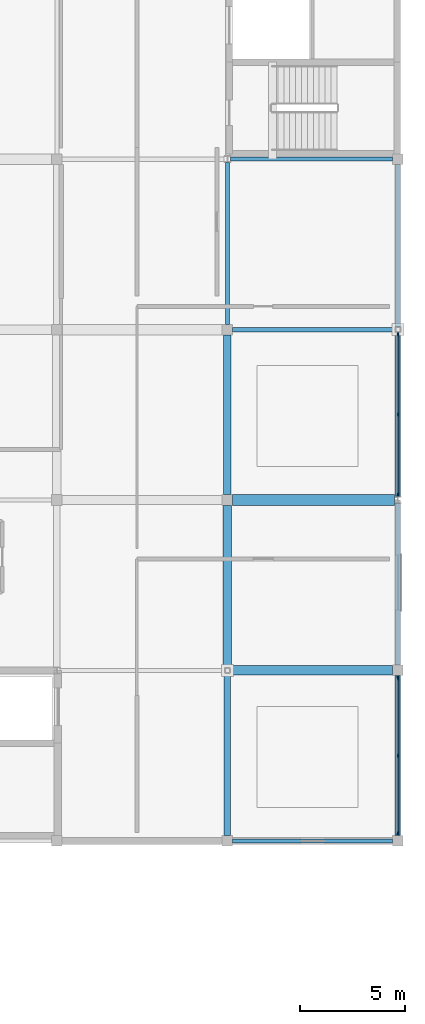
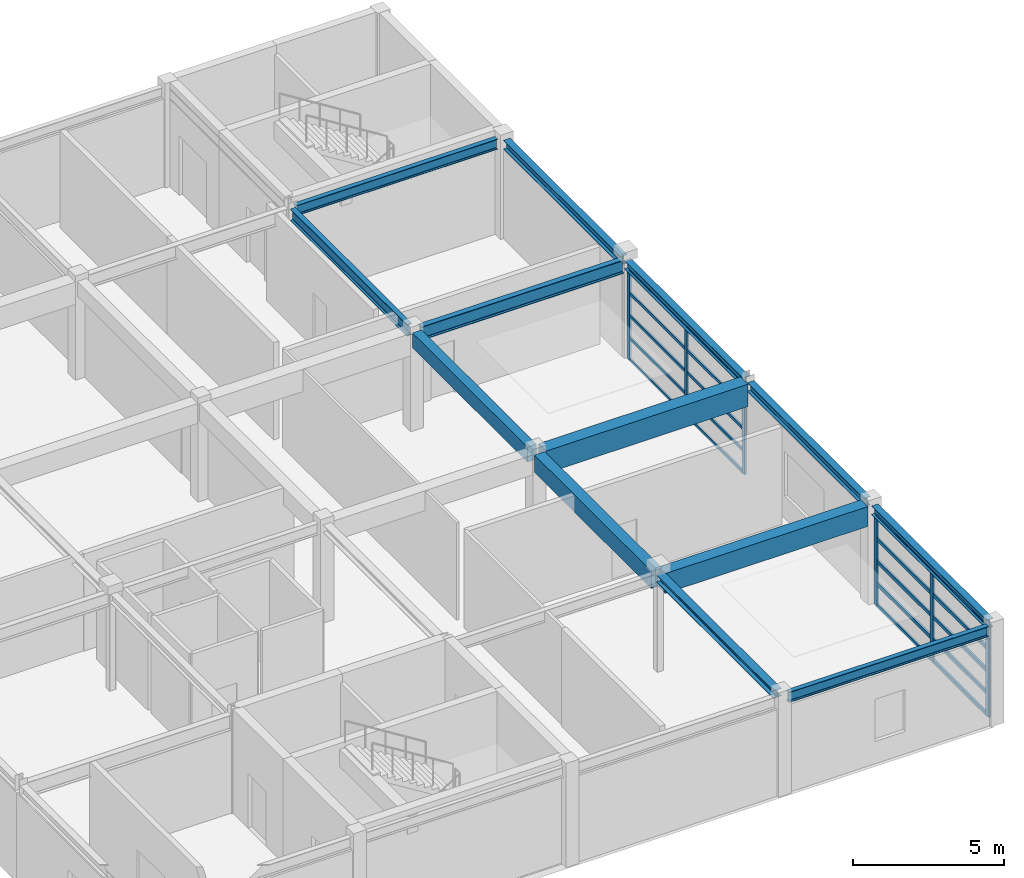
# One storey, part 13 of 26: 26 members, 13 beams, 2 elements without a shape of their own.
"""IFC4 building model written with IfcOpenShell, lengths in metres."""

import ifcopenshell
import ifcopenshell.guid

model = None  # the IFC model being written
_history = None  # IfcOwnerHistory: only IFC2X3 demands one
_inside = {}  # id of a spatial element -> (the spatial element, [elements in it])
_under = {}  # id of a project, library or spatial element -> (it, [spatial elements below it])
_declared = {}  # id of a project -> (the project, [libraries it declares])
_typed = {}  # id of a type object -> (the type object, [elements of that type])
_made_of = {}  # id of a material, layer set ... -> (it, [elements and type objects made of it])


def new_model(schema):
    """Start an empty IFC model of exactly this schema.

    Asked for "IFC4X3", IfcOpenShell would pick the latest addendum, in which some entities
    have other attributes; the version numbers below select the first issue.
    IFC2X3 requires an IfcOwnerHistory on every rooted entity: one is made here for all.
    """
    global model, _history
    if schema == "IFC4X3":
        model = ifcopenshell.file(schema_version=(4, 3, 0, 0))
    else:
        model = ifcopenshell.file(schema=schema)
    _inside.clear()
    _under.clear()
    _declared.clear()
    _typed.clear()
    _made_of.clear()
    _history = None
    if model.schema == "IFC2X3":
        org = make("IfcOrganization", Name="unknown")
        user = make(
            "IfcPersonAndOrganization",
            ThePerson=make("IfcPerson", FamilyName="unknown"),
            TheOrganization=org,
        )
        app = make(
            "IfcApplication",
            ApplicationDeveloper=org,
            Version="unknown",
            ApplicationFullName="unknown",
            ApplicationIdentifier="unknown",
        )
        _history = make(
            "IfcOwnerHistory",
            OwningUser=user,
            OwningApplication=app,
            ChangeAction="ADDED",
            CreationDate=0,
        )
    return model


def make(cls, **values):
    """One entity of the class cls with the attributes given. An attribute that is None is left unset."""
    return model.create_entity(
        cls, **{name: value for name, value in values.items() if value is not None}
    )


def rooted(cls, **values):
    """An entity with a GlobalId (a new one), such as an element, a storey or a relation."""
    return make(cls, GlobalId=ifcopenshell.guid.new(), OwnerHistory=_history, **values)


def si_unit(unit_type, name, prefix=None):
    """IfcSIUnit, for example si_unit("LENGTHUNIT", "METRE", prefix="MILLI")."""
    return make("IfcSIUnit", UnitType=unit_type, Prefix=prefix, Name=name)


def assignment(units):
    """IfcUnitAssignment: the units of a project."""
    return None if units is None else make("IfcUnitAssignment", Units=units)


def point(xyz):
    """IfcCartesianPoint."""
    return None if xyz is None else make("IfcCartesianPoint", Coordinates=xyz)


def direction(xyz):
    """IfcDirection."""
    return None if xyz is None else make("IfcDirection", DirectionRatios=xyz)


def frame(location, z_axis=None, x_axis=None):
    """IfcAxis2Placement3D, a coordinate frame: its origin and axes. An axis left out is left unset."""
    return make(
        "IfcAxis2Placement3D",
        Location=point(location),
        Axis=direction(z_axis),
        RefDirection=direction(x_axis),
    )


def frame_2d(location, x_axis=None):
    """IfcAxis2Placement2D, a coordinate frame in the plane: its origin and x axis."""
    return make(
        "IfcAxis2Placement2D", Location=point(location), RefDirection=direction(x_axis)
    )


def origin():
    """The frame at (0, 0, 0) with its axes left unset."""
    return frame((0.0, 0.0, 0.0))


def origin_2d():
    """The frame at (0, 0) in the plane with its x axis left unset."""
    return frame_2d((0.0, 0.0))


def place(relative_to, where):
    """IfcLocalPlacement: puts the frame where relative to a parent placement (None: the world)."""
    return make(
        "IfcLocalPlacement", PlacementRelTo=relative_to, RelativePlacement=where
    )


def context(
    kind, dimensions, precision=None, world=None, true_north=None, identifier=None
):
    """IfcGeometricRepresentationContext, for example the 3D "Model" context."""
    return make(
        "IfcGeometricRepresentationContext",
        ContextIdentifier=identifier,
        ContextType=kind,
        CoordinateSpaceDimension=dimensions,
        Precision=precision,
        WorldCoordinateSystem=world,
        TrueNorth=true_north,
    )


def subcontext(parent, identifier, kind, view, scale=None):
    """IfcGeometricRepresentationSubContext, for example "Body" below "Model"."""
    return make(
        "IfcGeometricRepresentationSubContext",
        ContextIdentifier=identifier,
        ContextType=kind,
        ParentContext=parent,
        TargetScale=scale,
        TargetView=view,
    )


def project(units=None, contexts=None):
    """IfcProject with its units and contexts."""
    return rooted(
        "IfcProject",
        Name="project",
        RepresentationContexts=contexts,
        UnitsInContext=assignment(units),
    )


def spatial(cls, under=None, at=None, **own):
    """A site, building, storey or space (cls), placed at a placement, below another one or the project."""
    s = rooted(cls, ObjectPlacement=at, **own)
    if under is not None:
        _under.setdefault(under.id(), (under, []))[1].append(s)
    return s


def profile(cls, at=None, kind="AREA", **sizes):
    """A parametric profile (cls). Its sizes go by their IFC names, for example OverallWidth=200.0."""
    return make(cls, ProfileType=kind, Position=at, **sizes)


def rectangle(**sizes):
    """IfcRectangleProfileDef."""
    return profile("IfcRectangleProfileDef", **sizes)


def i_section(**sizes):
    """IfcIShapeProfileDef."""
    return profile("IfcIShapeProfileDef", **sizes)


def extrude(swept, where, along, depth):
    """IfcExtrudedAreaSolid: the profile swept, set in the frame where, extruded along a direction by depth."""
    return make(
        "IfcExtrudedAreaSolid",
        SweptArea=swept,
        Position=where,
        ExtrudedDirection=direction(along),
        Depth=depth,
    )


def shape(context_of_items, identifier, shape_type, items):
    """IfcShapeRepresentation: the items that make up one representation, for example the "Body"."""
    return make(
        "IfcShapeRepresentation",
        ContextOfItems=context_of_items,
        RepresentationIdentifier=identifier,
        RepresentationType=shape_type,
        Items=items,
    )


def material(Name=None, Category=None):
    """IfcMaterial."""
    return make("IfcMaterial", Name=Name, Category=Category)


def material_profile(
    of_material, cross_section, Name=None, Category=None, Priority=None
):
    """IfcMaterialProfile: a cross section and its material."""
    return make(
        "IfcMaterialProfile",
        Name=Name,
        Material=of_material,
        Profile=cross_section,
        Priority=Priority,
        Category=Category,
    )


def profile_set(profiles, Name=None, composite=None):
    """IfcMaterialProfileSet."""
    return make(
        "IfcMaterialProfileSet",
        Name=Name,
        MaterialProfiles=profiles,
        CompositeProfile=composite,
    )


def made_of(thing, what):
    """Note that an element or type object is made of a material, layer set ...; save() writes the relation."""
    if what is not None:
        _made_of.setdefault(what.id(), (what, []))[1].append(thing)
    return thing


def type_object(cls, material=None, **own):
    """A type object (cls), such as IfcWallType, which elements share."""
    return made_of(rooted(cls, **own), material)


def element(
    cls,
    number,
    at=None,
    inside=None,
    cuts=None,
    type_object=None,
    material=None,
    context=None,
    identifier="Body",
    shape_type=None,
    held_by="IfcProductDefinitionShape",
    body=None,
    shapes=None,
    **own,
):
    """One element of the class cls, such as IfcWall. Its Tag is "e" and its number.

    at: its placement. inside: the storey or other place that contains it. cuts: it is an
    opening in that element (IfcRelVoidsElement). A single representation is given by context,
    identifier, shape_type and body (its items); several are given by shapes. held_by: the class
    of the entity that holds the representations. save() writes the other relations.
    """
    e = rooted(cls, Tag="e%d" % number, ObjectPlacement=at, **own)
    if body is not None:
        shapes = [shape(context, identifier, shape_type, body)]
    if shapes is not None:
        e.Representation = make(held_by, Representations=shapes)
    if inside is not None:
        _inside.setdefault(inside.id(), (inside, []))[1].append(e)
    if cuts is not None:
        rooted(
            "IfcRelVoidsElement", RelatingBuildingElement=cuts, RelatedOpeningElement=e
        )
    if type_object is not None:
        _typed.setdefault(type_object.id(), (type_object, []))[1].append(e)
    return made_of(e, material)


def aggregate(whole, parts):
    """IfcRelAggregates: a whole, such as a stair, and the parts it consists of."""
    return rooted("IfcRelAggregates", RelatingObject=whole, RelatedObjects=parts)


def save(model, path):
    """Write the relations noted so far, then the file.

    IfcRelAggregates (storeys below a building ...), IfcRelContainedInSpatialStructure (elements
    in a storey), IfcRelDefinesByType, IfcRelAssociatesMaterial and IfcRelDeclares: one each for
    every whole, place, type object, material and project.
    """
    for whole, parts in _under.values():
        aggregate(whole, parts)
    for where, things in _inside.values():
        rooted(
            "IfcRelContainedInSpatialStructure",
            RelatedElements=things,
            RelatingStructure=where,
        )
    for kind, things in _typed.values():
        rooted("IfcRelDefinesByType", RelatedObjects=things, RelatingType=kind)
    for what, things in _made_of.values():
        rooted("IfcRelAssociatesMaterial", RelatedObjects=things, RelatingMaterial=what)
    for by, libraries in _declared.values():
        rooted("IfcRelDeclares", RelatingContext=by, RelatedDefinitions=libraries)
    model.write(path)


model = new_model("IFC4")

# Units and contexts
model_context = context("Model", 3, precision=1e-05, world=origin(), true_north=direction((0.0, 1.0)))
body_context = subcontext(model_context, "Body", "Model", "MODEL_VIEW")
ifc_project = project(units=[si_unit("LENGTHUNIT", "METRE"), si_unit("AREAUNIT", "SQUARE_METRE"), si_unit("VOLUMEUNIT", "CUBIC_METRE"), si_unit("PLANEANGLEUNIT", "RADIAN"), si_unit("MASSUNIT", "GRAM", prefix="KILO")], contexts=[model_context])

# Site, building, storey
site_placement = place(None, origin())
site = spatial("IfcSite", under=ifc_project, at=site_placement, CompositionType="ELEMENT")
building_placement = place(site_placement, origin())
building = spatial("IfcBuilding", under=site, at=building_placement, Name="Parian Resonance Hall", CompositionType="ELEMENT")
storey_placement = place(building_placement, frame((0.0, 0.0, 19.199951171875)))
storey = spatial("IfcBuildingStorey", under=building, at=storey_placement, Name="L04", CompositionType="ELEMENT", Elevation=19.199951171875)

# Beams
ifc_material_1 = material(Name="Concrete C40/50", Category="concrete")
ifc_material_profile_1 = material_profile(ifc_material_1, rectangle(XDim=0.35009765625, YDim=0.60009765625, at=origin_2d()), Name="RC-BM-350x600")
ifc_profile_set_1 = profile_set([ifc_material_profile_1], Name="Concrete C40/50")
beam_type_1 = type_object("IfcBeamType", Name="BM-RC350x600", PredefinedType="BEAM", material=ifc_profile_set_1)
beam_1_placement = place(storey_placement, frame((137.699951171875, 65.050048828125, 3.66015625), z_axis=(0.0, 1.0, 0.0), x_axis=(-1.0, 0.0, 0.0)))
element("IfcBeam", 1, at=beam_1_placement, inside=storey, type_object=beam_type_1, Name="GY-L04-1005", PredefinedType="BEAM", context=body_context, shape_type="SweptSolid", body=[
    extrude(rectangle(XDim=0.35009765625, YDim=0.60009765625, at=origin_2d()), origin(), (0.0, 0.0, 1.0), 7.599853515625),
])
ifc_material_2 = material(Name="Concrete C40/50", Category="concrete")
ifc_material_profile_2 = material_profile(ifc_material_2, rectangle(XDim=0.39990234375, YDim=0.699951171875, at=origin_2d()), Name="RC-BM-400x700")
ifc_profile_set_2 = profile_set([ifc_material_profile_2], Name="Concrete C40/50")
beam_type_2 = type_object("IfcBeamType", Name="BM-RC400x700", PredefinedType="BEAM", material=ifc_profile_set_2)
beam_2_placement = place(storey_placement, frame((137.699951171875, 56.824951171875, 3.610107421875), z_axis=(0.0, 1.0, 0.0), x_axis=(-1.0, 0.0, 0.0)))
element("IfcBeam", 2, at=beam_2_placement, inside=storey, type_object=beam_type_2, Name="GY-L04-1004", PredefinedType="BEAM", context=body_context, shape_type="SweptSolid", body=[
    extrude(rectangle(XDim=0.39990234375, YDim=0.699951171875, at=origin_2d()), origin(), (0.0, 0.0, 1.0), 7.72509765625),
])
ifc_material_3 = material(Name="Concrete C40/50", Category="concrete")
ifc_material_profile_3 = material_profile(ifc_material_3, rectangle(XDim=0.449951171875, YDim=0.800048828125, at=origin_2d()), Name="RC-BM-450x800")
ifc_profile_set_3 = profile_set([ifc_material_profile_3], Name="Concrete C40/50")
beam_type_3 = type_object("IfcBeamType", Name="BM-RC450x800", PredefinedType="USERDEFINED", material=ifc_profile_set_3)
beam_3_placement = place(storey_placement, frame((137.824951171875, 56.699951171875, 3.56005859375), z_axis=(1.0, 0.0, 0.0), x_axis=(0.0, 1.0, 0.0)))
element("IfcBeam", 3, at=beam_3_placement, inside=storey, type_object=beam_type_3, Name="GX-L04-0963", ObjectType="GIRDER", PredefinedType="USERDEFINED", context=body_context, shape_type="SweptSolid", body=[
    extrude(rectangle(XDim=0.449951171875, YDim=0.800048828125, at=origin_2d()), origin(), (0.0, 0.0, 1.0), 7.72509765625),
])
ifc_material_4 = material(Name="Concrete C40/50", Category="concrete")
ifc_material_profile_4 = material_profile(ifc_material_4, rectangle(XDim=0.5, YDim=0.89990234375, at=origin_2d()), Name="RC-BM-500x900")
ifc_profile_set_4 = profile_set([ifc_material_profile_4], Name="Concrete C40/50")
beam_type_4 = type_object("IfcBeamType", Name="BM-RC500x900", PredefinedType="USERDEFINED", material=ifc_profile_set_4)
beam_4_placement = place(storey_placement, frame((137.949951171875, 64.800048828125, 3.510009765625), z_axis=(1.0, 0.0, 0.0), x_axis=(0.0, 1.0, 0.0)))
element("IfcBeam", 4, at=beam_4_placement, inside=storey, type_object=beam_type_4, Name="GX-L04-0964", ObjectType="GIRDER", PredefinedType="USERDEFINED", context=body_context, shape_type="SweptSolid", body=[
    extrude(rectangle(XDim=0.5, YDim=0.89990234375, at=origin_2d()), origin(), (0.0, 0.0, 1.0), 7.697509765625),
])
ifc_material_5 = material(Name="Steel S355", Category="steel")
ifc_material_profile_5 = material_profile(ifc_material_5, i_section(OverallWidth=0.304931640625, OverallDepth=0.30810546875, WebThickness=0.010009765625, FlangeThickness=0.015380859375, FilletRadius=0.01513671875, at=origin_2d()), Name="W310x97")
ifc_profile_set_5 = profile_set([ifc_material_profile_5], Name="Steel S355")
beam_type_5 = type_object("IfcBeamType", Name="BM-W310x97", PredefinedType="BEAM", material=ifc_profile_set_5)
beam_5_placement = place(storey_placement, frame((137.699951171875, 48.85009765625, 3.80615234375), z_axis=(0.0, 1.0, 0.0), x_axis=(-1.0, 0.0, 0.0)))
element("IfcBeam", 5, at=beam_5_placement, inside=storey, type_object=beam_type_5, Name="GY-L04-1003", PredefinedType="BEAM", context=body_context, shape_type="SweptSolid", body=[
    extrude(i_section(OverallWidth=0.304931640625, OverallDepth=0.30810546875, WebThickness=0.010009765625, FlangeThickness=0.015380859375, FilletRadius=0.01513671875, at=origin_2d()), origin(), (0.0, 0.0, 1.0), 7.724853515625),
])
ifc_material_6 = material(Name="Steel S355", Category="steel")
ifc_material_profile_6 = material_profile(ifc_material_6, i_section(OverallWidth=0.2548828125, OverallDepth=0.35693359375, WebThickness=0.010498046875, FlangeThickness=0.018310546875, FilletRadius=0.01513671875, at=origin_2d()), Name="W360x101")
ifc_profile_set_6 = profile_set([ifc_material_profile_6], Name="Steel S355")
beam_type_6 = type_object("IfcBeamType", Name="BM-W360x101", PredefinedType="SPANDREL", material=ifc_profile_set_6)
beam_6_placement = place(storey_placement, frame((145.800048828125, 48.85009765625, 3.781494140625), z_axis=(0.0, 1.0, 0.0), x_axis=(-1.0, 0.0, 0.0)))
element("IfcBeam", 6, at=beam_6_placement, inside=storey, type_object=beam_type_6, Name="GY-L04-1008", PredefinedType="SPANDREL", context=body_context, shape_type="SweptSolid", body=[
    extrude(i_section(OverallWidth=0.2548828125, OverallDepth=0.35693359375, WebThickness=0.010498046875, FlangeThickness=0.018310546875, FilletRadius=0.01513671875, at=origin_2d()), origin(), (0.0, 0.0, 1.0), 7.599853515625),
])
beam_7_placement = place(storey_placement, frame((145.800048828125, 56.949951171875, 3.781494140625), z_axis=(0.0, 1.0, 0.0), x_axis=(-1.0, 0.0, 0.0)))
element("IfcBeam", 7, at=beam_7_placement, inside=storey, type_object=beam_type_6, Name="GY-L04-1009", PredefinedType="SPANDREL", context=body_context, shape_type="SweptSolid", body=[
    extrude(i_section(OverallWidth=0.2548828125, OverallDepth=0.35693359375, WebThickness=0.010498046875, FlangeThickness=0.018310546875, FilletRadius=0.01513671875, at=origin_2d()), origin(), (0.0, 0.0, 1.0), 7.696044921875),
])
beam_8_placement = place(storey_placement, frame((145.800048828125, 64.9541015625, 3.781494140625), z_axis=(0.0, 1.0, 0.0), x_axis=(-1.0, 0.0, 0.0)))
element("IfcBeam", 8, at=beam_8_placement, inside=storey, type_object=beam_type_6, Name="GY-L04-1010", PredefinedType="SPANDREL", context=body_context, shape_type="SweptSolid", body=[
    extrude(i_section(OverallWidth=0.2548828125, OverallDepth=0.35693359375, WebThickness=0.010498046875, FlangeThickness=0.018310546875, FilletRadius=0.01513671875, at=origin_2d()), origin(), (0.0, 0.0, 1.0), 7.82080078125),
])
beam_9_placement = place(storey_placement, frame((145.800048828125, 73.02490234375, 3.781494140625), z_axis=(0.0, 1.0, 0.0), x_axis=(-1.0, 0.0, 0.0)))
element("IfcBeam", 9, at=beam_9_placement, inside=storey, type_object=beam_type_6, Name="GY-L04-1011", PredefinedType="SPANDREL", context=body_context, shape_type="SweptSolid", body=[
    extrude(i_section(OverallWidth=0.2548828125, OverallDepth=0.35693359375, WebThickness=0.010498046875, FlangeThickness=0.018310546875, FilletRadius=0.01513671875, at=origin_2d()), origin(), (0.0, 0.0, 1.0), 7.72509765625),
])
ifc_material_7 = material(Name="Steel S355", Category="steel")
ifc_material_profile_7 = material_profile(ifc_material_7, i_section(OverallWidth=0.180908203125, OverallDepth=0.4169921875, WebThickness=0.010986328125, FlangeThickness=0.018310546875, FilletRadius=0.01513671875, at=origin_2d()), Name="W410x85")
ifc_profile_set_7 = profile_set([ifc_material_profile_7], Name="Steel S355")
beam_type_7 = type_object("IfcBeamType", Name="BM-W410x85", PredefinedType="SPANDREL", material=ifc_profile_set_7)
beam_10_placement = place(storey_placement, frame((137.949951171875, 48.60009765625, 3.75146484375), z_axis=(1.0, 0.0, 0.0), x_axis=(0.0, 1.0, 0.0)))
element("IfcBeam", 10, at=beam_10_placement, inside=storey, type_object=beam_type_7, Name="GX-L04-0962", PredefinedType="SPANDREL", context=body_context, shape_type="SweptSolid", body=[
    extrude(i_section(OverallWidth=0.180908203125, OverallDepth=0.4169921875, WebThickness=0.010986328125, FlangeThickness=0.018310546875, FilletRadius=0.01513671875, at=origin_2d()), origin(), (0.0, 0.0, 1.0), 7.60009765625),
])
beam_11_placement = place(storey_placement, frame((137.8525390625, 81.0, 3.75146484375), z_axis=(1.0, 0.0, 0.0), x_axis=(0.0, 1.0, 0.0)))
element("IfcBeam", 11, at=beam_11_placement, inside=storey, type_object=beam_type_7, Name="GX-L04-0966", PredefinedType="SPANDREL", context=body_context, shape_type="SweptSolid", body=[
    extrude(i_section(OverallWidth=0.180908203125, OverallDepth=0.4169921875, WebThickness=0.010986328125, FlangeThickness=0.018310546875, FilletRadius=0.01513671875, at=origin_2d()), origin(), (0.0, 0.0, 1.0), 7.697509765625),
])
ifc_material_8 = material(Name="Steel S355", Category="steel")
ifc_material_profile_8 = material_profile(ifc_material_8, i_section(OverallWidth=0.194091796875, OverallDepth=0.468994140625, WebThickness=0.0126953125, FlangeThickness=0.0205078125, FilletRadius=0.01513671875, at=origin_2d()), Name="W460x106")
ifc_profile_set_8 = profile_set([ifc_material_profile_8], Name="Steel S355")
beam_type_8 = type_object("IfcBeamType", Name="BM-W460x106", PredefinedType="SPANDREL", material=ifc_profile_set_8)
beam_12_placement = place(storey_placement, frame((137.699951171875, 73.14990234375, 3.7255859375), z_axis=(0.0, 1.0, 0.0), x_axis=(-1.0, 0.0, 0.0)))
element("IfcBeam", 12, at=beam_12_placement, inside=storey, type_object=beam_type_8, Name="GY-L04-1006", PredefinedType="SPANDREL", context=body_context, shape_type="SweptSolid", body=[
    extrude(i_section(OverallWidth=0.194091796875, OverallDepth=0.468994140625, WebThickness=0.0126953125, FlangeThickness=0.0205078125, FilletRadius=0.01513671875, at=origin_2d()), origin(), (0.0, 0.0, 1.0), 7.696044921875),
])
ifc_material_9 = material(Name="Steel S355", Category="steel")
ifc_material_profile_9 = material_profile(ifc_material_9, i_section(OverallWidth=0.2119140625, OverallDepth=0.5439453125, WebThickness=0.01318359375, FlangeThickness=0.021240234375, FilletRadius=0.017822265625, at=origin_2d()), Name="W530x123")
ifc_profile_set_9 = profile_set([ifc_material_profile_9], Name="Steel S355")
beam_type_9 = type_object("IfcBeamType", Name="BM-W530x123", PredefinedType="USERDEFINED", material=ifc_profile_set_9)
beam_13_placement = place(storey_placement, frame((137.949951171875, 72.89990234375, 3.68798828125), z_axis=(1.0, 0.0, 0.0), x_axis=(0.0, 1.0, 0.0)))
element("IfcBeam", 13, at=beam_13_placement, inside=storey, type_object=beam_type_9, Name="GX-L04-0965", ObjectType="GIRDER", PredefinedType="USERDEFINED", context=body_context, shape_type="SweptSolid", body=[
    extrude(i_section(OverallWidth=0.2119140625, OverallDepth=0.5439453125, WebThickness=0.01318359375, FlangeThickness=0.021240234375, FilletRadius=0.017822265625, at=origin_2d()), origin(), (0.0, 0.0, 1.0), 7.72509765625),
])

# Curtain wall, members
ifc_material_10 = material(Name="Bronze-anodised aluminium frame", Category="aluminium")
curtain_wall_type_1 = type_object("IfcCurtainWallType", Name="CW-SYS-03", PredefinedType="NOTDEFINED", material=ifc_material_10)
curtain_wall_1_placement = place(storey_placement, origin())
curtain_wall_1 = element("IfcCurtainWall", 14, at=curtain_wall_1_placement, inside=storey, type_object=curtain_wall_type_1, Name="Curtain wall CW-L04-151", PredefinedType="NOTDEFINED")
ifc_material_11 = material(Name="Bronze-anodised aluminium frame", Category="aluminium")
ifc_material_profile_10 = material_profile(ifc_material_11, rectangle(XDim=0.06494140625, YDim=0.159912109375, at=origin_2d()), Name="CWM-65x160")
ifc_profile_set_10 = profile_set([ifc_material_profile_10], Name="Bronze-anodised aluminium frame")
member_type_1 = type_object("IfcMemberType", Name="CWM-65x160", PredefinedType="MULLION", material=ifc_profile_set_10)
member_1_placement = place(storey_placement, frame((145.800048828125, 72.66259765625, -0.008056640625), z_axis=(0.0, 0.0, 1.0), x_axis=(1.0, 0.0, 0.0)))
member_1 = element("IfcMember", 15, at=member_1_placement, type_object=member_type_1, Name="CW-03 mullion 1", PredefinedType="MULLION", context=body_context, shape_type="SweptSolid", body=[
    extrude(rectangle(XDim=0.06494140625, YDim=0.159912109375, at=origin_2d()), origin(), (0.0, 0.0, 1.0), 3.614990234375),
])
member_2_placement = place(storey_placement, frame((145.800048828125, 68.864501953125, -0.008056640625), z_axis=(0.0, 0.0, 1.0), x_axis=(1.0, 0.0, 0.0)))
member_2 = element("IfcMember", 16, at=member_2_placement, type_object=member_type_1, Name="CW-03 mullion 2", PredefinedType="MULLION", context=body_context, shape_type="SweptSolid", body=[
    extrude(rectangle(XDim=0.06494140625, YDim=0.159912109375, at=origin_2d()), origin(), (0.0, 0.0, 1.0), 3.614990234375),
])
member_3_placement = place(storey_placement, frame((145.800048828125, 65.06640625, -0.008056640625), z_axis=(0.0, 0.0, 1.0), x_axis=(1.0, 0.0, 0.0)))
member_3 = element("IfcMember", 17, at=member_3_placement, type_object=member_type_1, Name="CW-03 mullion 3", PredefinedType="MULLION", context=body_context, shape_type="SweptSolid", body=[
    extrude(rectangle(XDim=0.06494140625, YDim=0.159912109375, at=origin_2d()), origin(), (0.0, 0.0, 1.0), 3.614990234375),
])

ifc_material_12 = material(Name="Bronze-anodised aluminium frame", Category="aluminium")
curtain_wall_type_2 = type_object("IfcCurtainWallType", Name="CW-SYS-01", PredefinedType="NOTDEFINED", material=ifc_material_12)
curtain_wall_2_placement = place(storey_placement, origin())
curtain_wall_2 = element("IfcCurtainWall", 18, at=curtain_wall_2_placement, inside=storey, type_object=curtain_wall_type_2, Name="Curtain wall CW-L04-150", PredefinedType="NOTDEFINED")
ifc_material_13 = material(Name="Bronze-anodised aluminium frame", Category="aluminium")
ifc_material_profile_11 = material_profile(ifc_material_13, rectangle(XDim=0.074951171875, YDim=0.199951171875, at=origin_2d()), Name="CWM-75x200")
ifc_profile_set_11 = profile_set([ifc_material_profile_11], Name="Bronze-anodised aluminium frame")
member_type_2 = type_object("IfcMemberType", Name="CWM-75x200", PredefinedType="MULLION", material=ifc_profile_set_11)
member_4_placement = place(storey_placement, frame((145.800048828125, 56.33251953125, -0.008056640625), z_axis=(0.0, 0.0, 1.0), x_axis=(1.0, 0.0, 0.0)))
member_4 = element("IfcMember", 19, at=member_4_placement, type_object=member_type_2, Name="CW-01 mullion 1", PredefinedType="MULLION", context=body_context, shape_type="SweptSolid", body=[
    extrude(rectangle(XDim=0.074951171875, YDim=0.199951171875, at=origin_2d()), origin(), (0.0, 0.0, 1.0), 3.614990234375),
])
member_5_placement = place(storey_placement, frame((145.800048828125, 52.64990234375, -0.008056640625), z_axis=(0.0, 0.0, 1.0), x_axis=(1.0, 0.0, 0.0)))
member_5 = element("IfcMember", 20, at=member_5_placement, type_object=member_type_2, Name="CW-01 mullion 2", PredefinedType="MULLION", context=body_context, shape_type="SweptSolid", body=[
    extrude(rectangle(XDim=0.074951171875, YDim=0.199951171875, at=origin_2d()), origin(), (0.0, 0.0, 1.0), 3.614990234375),
])
member_6_placement = place(storey_placement, frame((145.800048828125, 48.967529296875, -0.008056640625), z_axis=(0.0, 0.0, 1.0), x_axis=(1.0, 0.0, 0.0)))
member_6 = element("IfcMember", 21, at=member_6_placement, type_object=member_type_2, Name="CW-01 mullion 3", PredefinedType="MULLION", context=body_context, shape_type="SweptSolid", body=[
    extrude(rectangle(XDim=0.074951171875, YDim=0.199951171875, at=origin_2d()), origin(), (0.0, 0.0, 1.0), 3.614990234375),
])

# Member
ifc_material_14 = material(Name="Bronze-anodised aluminium frame", Category="aluminium")
ifc_material_profile_12 = material_profile(ifc_material_14, rectangle(XDim=0.06494140625, YDim=0.1201171875, at=origin_2d()), Name="CWT-65x120")
ifc_profile_set_12 = profile_set([ifc_material_profile_12], Name="Bronze-anodised aluminium frame")
member_type_3 = type_object("IfcMemberType", Name="CWT-65x120", PredefinedType="USERDEFINED", material=ifc_profile_set_12)
member_7_placement = place(storey_placement, frame((145.800048828125, 72.6298828125, 0.024658203125), z_axis=(0.0, -1.0, 0.0), x_axis=(1.0, 0.0, 0.0)))
member_7 = element("IfcMember", 22, at=member_7_placement, type_object=member_type_3, Name="CW-03 transom 1.1", ObjectType="TRANSOM", PredefinedType="USERDEFINED", context=body_context, shape_type="SweptSolid", body=[
    extrude(rectangle(XDim=0.06494140625, YDim=0.1201171875, at=origin_2d()), origin(), (0.0, 0.0, 1.0), 3.73291015625),
])

member_8_placement = place(storey_placement, frame((145.800048828125, 72.6298828125, 0.899169921875), z_axis=(0.0, -1.0, 0.0), x_axis=(1.0, 0.0, 0.0)))
member_8 = element("IfcMember", 23, at=member_8_placement, type_object=member_type_3, Name="CW-03 transom 1.2", ObjectType="TRANSOM", PredefinedType="USERDEFINED", context=body_context, shape_type="SweptSolid", body=[
    extrude(rectangle(XDim=0.06494140625, YDim=0.1201171875, at=origin_2d()), origin(), (0.0, 0.0, 1.0), 3.73291015625),
])

member_9_placement = place(storey_placement, frame((145.800048828125, 72.6298828125, 1.798583984375), z_axis=(0.0, -1.0, 0.0), x_axis=(1.0, 0.0, 0.0)))
member_9 = element("IfcMember", 24, at=member_9_placement, type_object=member_type_3, Name="CW-03 transom 1.3", ObjectType="TRANSOM", PredefinedType="USERDEFINED", context=body_context, shape_type="SweptSolid", body=[
    extrude(rectangle(XDim=0.06494140625, YDim=0.1201171875, at=origin_2d()), origin(), (0.0, 0.0, 1.0), 3.73291015625),
])

member_10_placement = place(storey_placement, frame((145.800048828125, 72.6298828125, 2.69775390625), z_axis=(0.0, -1.0, 0.0), x_axis=(1.0, 0.0, 0.0)))
member_10 = element("IfcMember", 25, at=member_10_placement, type_object=member_type_3, Name="CW-03 transom 1.4", ObjectType="TRANSOM", PredefinedType="USERDEFINED", context=body_context, shape_type="SweptSolid", body=[
    extrude(rectangle(XDim=0.06494140625, YDim=0.1201171875, at=origin_2d()), origin(), (0.0, 0.0, 1.0), 3.73291015625),
])

member_11_placement = place(storey_placement, frame((145.800048828125, 72.6298828125, 3.574462890625), z_axis=(0.0, -1.0, 0.0), x_axis=(1.0, 0.0, 0.0)))
member_11 = element("IfcMember", 26, at=member_11_placement, type_object=member_type_3, Name="CW-03 transom 1.5", ObjectType="TRANSOM", PredefinedType="USERDEFINED", context=body_context, shape_type="SweptSolid", body=[
    extrude(rectangle(XDim=0.06494140625, YDim=0.1201171875, at=origin_2d()), origin(), (0.0, 0.0, 1.0), 3.73291015625),
])

member_12_placement = place(storey_placement, frame((145.800048828125, 68.83203125, 0.024658203125), z_axis=(0.0, -1.0, 0.0), x_axis=(1.0, 0.0, 0.0)))
member_12 = element("IfcMember", 27, at=member_12_placement, type_object=member_type_3, Name="CW-03 transom 2.1", ObjectType="TRANSOM", PredefinedType="USERDEFINED", context=body_context, shape_type="SweptSolid", body=[
    extrude(rectangle(XDim=0.06494140625, YDim=0.1201171875, at=origin_2d()), origin(), (0.0, 0.0, 1.0), 3.73291015625),
])

member_13_placement = place(storey_placement, frame((145.800048828125, 68.83203125, 0.899169921875), z_axis=(0.0, -1.0, 0.0), x_axis=(1.0, 0.0, 0.0)))
member_13 = element("IfcMember", 28, at=member_13_placement, type_object=member_type_3, Name="CW-03 transom 2.2", ObjectType="TRANSOM", PredefinedType="USERDEFINED", context=body_context, shape_type="SweptSolid", body=[
    extrude(rectangle(XDim=0.06494140625, YDim=0.1201171875, at=origin_2d()), origin(), (0.0, 0.0, 1.0), 3.73291015625),
])

member_14_placement = place(storey_placement, frame((145.800048828125, 68.83203125, 1.798583984375), z_axis=(0.0, -1.0, 0.0), x_axis=(1.0, 0.0, 0.0)))
member_14 = element("IfcMember", 29, at=member_14_placement, type_object=member_type_3, Name="CW-03 transom 2.3", ObjectType="TRANSOM", PredefinedType="USERDEFINED", context=body_context, shape_type="SweptSolid", body=[
    extrude(rectangle(XDim=0.06494140625, YDim=0.1201171875, at=origin_2d()), origin(), (0.0, 0.0, 1.0), 3.73291015625),
])

member_15_placement = place(storey_placement, frame((145.800048828125, 68.83203125, 2.69775390625), z_axis=(0.0, -1.0, 0.0), x_axis=(1.0, 0.0, 0.0)))
member_15 = element("IfcMember", 30, at=member_15_placement, type_object=member_type_3, Name="CW-03 transom 2.4", ObjectType="TRANSOM", PredefinedType="USERDEFINED", context=body_context, shape_type="SweptSolid", body=[
    extrude(rectangle(XDim=0.06494140625, YDim=0.1201171875, at=origin_2d()), origin(), (0.0, 0.0, 1.0), 3.73291015625),
])

member_16_placement = place(storey_placement, frame((145.800048828125, 68.83203125, 3.574462890625), z_axis=(0.0, -1.0, 0.0), x_axis=(1.0, 0.0, 0.0)))
member_16 = element("IfcMember", 31, at=member_16_placement, type_object=member_type_3, Name="CW-03 transom 2.5", ObjectType="TRANSOM", PredefinedType="USERDEFINED", context=body_context, shape_type="SweptSolid", body=[
    extrude(rectangle(XDim=0.06494140625, YDim=0.1201171875, at=origin_2d()), origin(), (0.0, 0.0, 1.0), 3.73291015625),
])

aggregate(curtain_wall_1, [member_1, member_2, member_3, member_7, member_8, member_9, member_10, member_11, member_12, member_13, member_14, member_15, member_16])

ifc_material_15 = material(Name="Bronze-anodised aluminium frame", Category="aluminium")
ifc_material_profile_13 = material_profile(ifc_material_15, rectangle(XDim=0.074951171875, YDim=0.14990234375, at=origin_2d()), Name="CWT-75x150")
ifc_profile_set_13 = profile_set([ifc_material_profile_13], Name="Bronze-anodised aluminium frame")
member_type_4 = type_object("IfcMemberType", Name="CWT-75x150", PredefinedType="USERDEFINED", material=ifc_profile_set_13)
member_17_placement = place(storey_placement, frame((145.800048828125, 56.294921875, 0.029541015625), z_axis=(0.0, -1.0, 0.0), x_axis=(1.0, 0.0, 0.0)))
member_17 = element("IfcMember", 32, at=member_17_placement, type_object=member_type_4, Name="CW-01 transom 1.1", ObjectType="TRANSOM", PredefinedType="USERDEFINED", context=body_context, shape_type="SweptSolid", body=[
    extrude(rectangle(XDim=0.074951171875, YDim=0.14990234375, at=origin_2d()), origin(), (0.0, 0.0, 1.0), 3.607421875),
])

member_18_placement = place(storey_placement, frame((145.800048828125, 56.294921875, 0.899169921875), z_axis=(0.0, -1.0, 0.0), x_axis=(1.0, 0.0, 0.0)))
member_18 = element("IfcMember", 33, at=member_18_placement, type_object=member_type_4, Name="CW-01 transom 1.2", ObjectType="TRANSOM", PredefinedType="USERDEFINED", context=body_context, shape_type="SweptSolid", body=[
    extrude(rectangle(XDim=0.074951171875, YDim=0.14990234375, at=origin_2d()), origin(), (0.0, 0.0, 1.0), 3.607421875),
])

member_19_placement = place(storey_placement, frame((145.800048828125, 56.294921875, 1.798583984375), z_axis=(0.0, -1.0, 0.0), x_axis=(1.0, 0.0, 0.0)))
member_19 = element("IfcMember", 34, at=member_19_placement, type_object=member_type_4, Name="CW-01 transom 1.3", ObjectType="TRANSOM", PredefinedType="USERDEFINED", context=body_context, shape_type="SweptSolid", body=[
    extrude(rectangle(XDim=0.074951171875, YDim=0.14990234375, at=origin_2d()), origin(), (0.0, 0.0, 1.0), 3.607421875),
])

member_20_placement = place(storey_placement, frame((145.800048828125, 56.294921875, 2.69775390625), z_axis=(0.0, -1.0, 0.0), x_axis=(1.0, 0.0, 0.0)))
member_20 = element("IfcMember", 35, at=member_20_placement, type_object=member_type_4, Name="CW-01 transom 1.4", ObjectType="TRANSOM", PredefinedType="USERDEFINED", context=body_context, shape_type="SweptSolid", body=[
    extrude(rectangle(XDim=0.074951171875, YDim=0.14990234375, at=origin_2d()), origin(), (0.0, 0.0, 1.0), 3.607421875),
])

member_21_placement = place(storey_placement, frame((145.800048828125, 56.294921875, 3.569580078125), z_axis=(0.0, -1.0, 0.0), x_axis=(1.0, 0.0, 0.0)))
member_21 = element("IfcMember", 36, at=member_21_placement, type_object=member_type_4, Name="CW-01 transom 1.5", ObjectType="TRANSOM", PredefinedType="USERDEFINED", context=body_context, shape_type="SweptSolid", body=[
    extrude(rectangle(XDim=0.074951171875, YDim=0.14990234375, at=origin_2d()), origin(), (0.0, 0.0, 1.0), 3.607421875),
])

member_22_placement = place(storey_placement, frame((145.800048828125, 52.612548828125, 0.029541015625), z_axis=(0.0, -1.0, 0.0), x_axis=(1.0, 0.0, 0.0)))
member_22 = element("IfcMember", 37, at=member_22_placement, type_object=member_type_4, Name="CW-01 transom 2.1", ObjectType="TRANSOM", PredefinedType="USERDEFINED", context=body_context, shape_type="SweptSolid", body=[
    extrude(rectangle(XDim=0.074951171875, YDim=0.14990234375, at=origin_2d()), origin(), (0.0, 0.0, 1.0), 3.607666015625),
])

member_23_placement = place(storey_placement, frame((145.800048828125, 52.612548828125, 0.899169921875), z_axis=(0.0, -1.0, 0.0), x_axis=(1.0, 0.0, 0.0)))
member_23 = element("IfcMember", 38, at=member_23_placement, type_object=member_type_4, Name="CW-01 transom 2.2", ObjectType="TRANSOM", PredefinedType="USERDEFINED", context=body_context, shape_type="SweptSolid", body=[
    extrude(rectangle(XDim=0.074951171875, YDim=0.14990234375, at=origin_2d()), origin(), (0.0, 0.0, 1.0), 3.607666015625),
])

member_24_placement = place(storey_placement, frame((145.800048828125, 52.612548828125, 1.798583984375), z_axis=(0.0, -1.0, 0.0), x_axis=(1.0, 0.0, 0.0)))
member_24 = element("IfcMember", 39, at=member_24_placement, type_object=member_type_4, Name="CW-01 transom 2.3", ObjectType="TRANSOM", PredefinedType="USERDEFINED", context=body_context, shape_type="SweptSolid", body=[
    extrude(rectangle(XDim=0.074951171875, YDim=0.14990234375, at=origin_2d()), origin(), (0.0, 0.0, 1.0), 3.607666015625),
])

member_25_placement = place(storey_placement, frame((145.800048828125, 52.612548828125, 2.69775390625), z_axis=(0.0, -1.0, 0.0), x_axis=(1.0, 0.0, 0.0)))
member_25 = element("IfcMember", 40, at=member_25_placement, type_object=member_type_4, Name="CW-01 transom 2.4", ObjectType="TRANSOM", PredefinedType="USERDEFINED", context=body_context, shape_type="SweptSolid", body=[
    extrude(rectangle(XDim=0.074951171875, YDim=0.14990234375, at=origin_2d()), origin(), (0.0, 0.0, 1.0), 3.607666015625),
])

member_26_placement = place(storey_placement, frame((145.800048828125, 52.612548828125, 3.569580078125), z_axis=(0.0, -1.0, 0.0), x_axis=(1.0, 0.0, 0.0)))
member_26 = element("IfcMember", 41, at=member_26_placement, type_object=member_type_4, Name="CW-01 transom 2.5", ObjectType="TRANSOM", PredefinedType="USERDEFINED", context=body_context, shape_type="SweptSolid", body=[
    extrude(rectangle(XDim=0.074951171875, YDim=0.14990234375, at=origin_2d()), origin(), (0.0, 0.0, 1.0), 3.607666015625),
])

aggregate(curtain_wall_2, [member_4, member_5, member_6, member_17, member_18, member_19, member_20, member_21, member_22, member_23, member_24, member_25, member_26])

save(model, "model.ifc")
